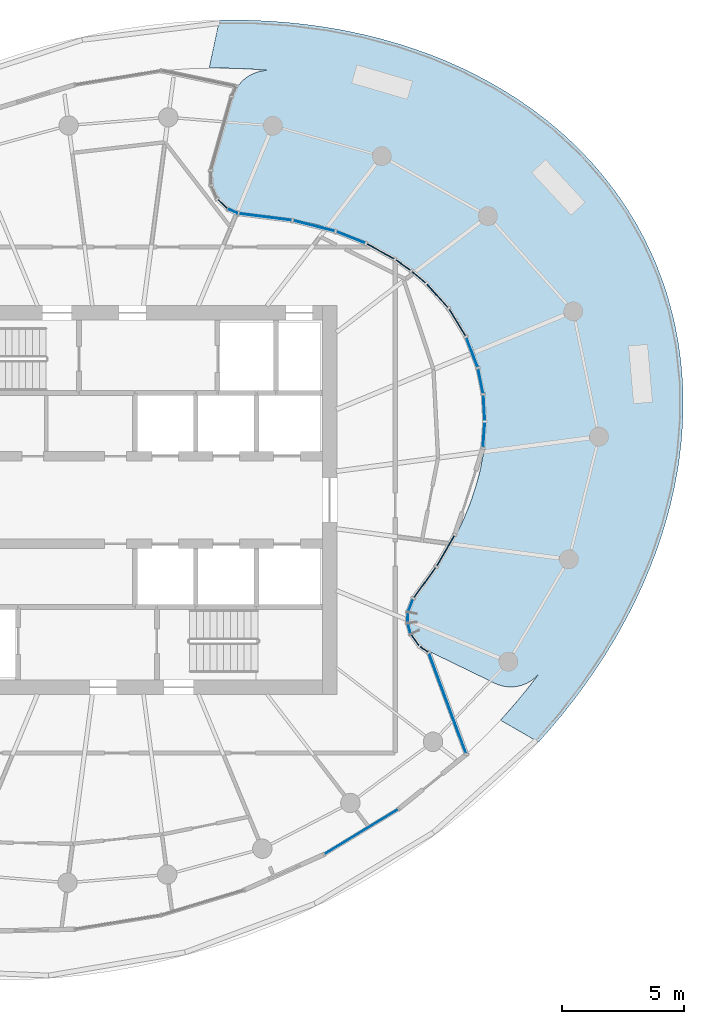
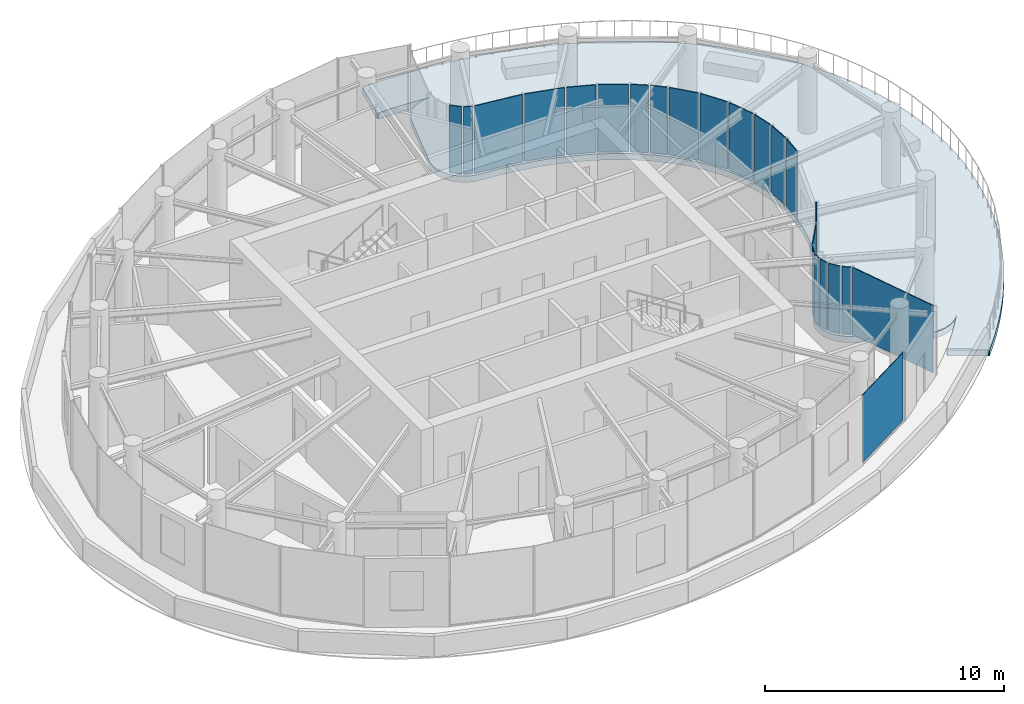
# One storey, part 9 of 19: 23 plates, 1 slab, 6 elements without a shape of their own.
"""IFC4 building model written with IfcOpenShell, lengths in metres."""

import ifcopenshell
import ifcopenshell.guid

model = None  # the IFC model being written
_history = None  # IfcOwnerHistory: only IFC2X3 demands one
_inside = {}  # id of a spatial element -> (the spatial element, [elements in it])
_under = {}  # id of a project, library or spatial element -> (it, [spatial elements below it])
_declared = {}  # id of a project -> (the project, [libraries it declares])
_typed = {}  # id of a type object -> (the type object, [elements of that type])
_made_of = {}  # id of a material, layer set ... -> (it, [elements and type objects made of it])


def new_model(schema):
    """Start an empty IFC model of exactly this schema.

    Asked for "IFC4X3", IfcOpenShell would pick the latest addendum, in which some entities
    have other attributes; the version numbers below select the first issue.
    IFC2X3 requires an IfcOwnerHistory on every rooted entity: one is made here for all.
    """
    global model, _history
    if schema == "IFC4X3":
        model = ifcopenshell.file(schema_version=(4, 3, 0, 0))
    else:
        model = ifcopenshell.file(schema=schema)
    _inside.clear()
    _under.clear()
    _declared.clear()
    _typed.clear()
    _made_of.clear()
    _history = None
    if model.schema == "IFC2X3":
        org = make("IfcOrganization", Name="unknown")
        user = make(
            "IfcPersonAndOrganization",
            ThePerson=make("IfcPerson", FamilyName="unknown"),
            TheOrganization=org,
        )
        app = make(
            "IfcApplication",
            ApplicationDeveloper=org,
            Version="unknown",
            ApplicationFullName="unknown",
            ApplicationIdentifier="unknown",
        )
        _history = make(
            "IfcOwnerHistory",
            OwningUser=user,
            OwningApplication=app,
            ChangeAction="ADDED",
            CreationDate=0,
        )
    return model


def make(cls, **values):
    """One entity of the class cls with the attributes given. An attribute that is None is left unset."""
    return model.create_entity(
        cls, **{name: value for name, value in values.items() if value is not None}
    )


def rooted(cls, **values):
    """An entity with a GlobalId (a new one), such as an element, a storey or a relation."""
    return make(cls, GlobalId=ifcopenshell.guid.new(), OwnerHistory=_history, **values)


def si_unit(unit_type, name, prefix=None):
    """IfcSIUnit, for example si_unit("LENGTHUNIT", "METRE", prefix="MILLI")."""
    return make("IfcSIUnit", UnitType=unit_type, Prefix=prefix, Name=name)


def assignment(units):
    """IfcUnitAssignment: the units of a project."""
    return None if units is None else make("IfcUnitAssignment", Units=units)


def point(xyz):
    """IfcCartesianPoint."""
    return None if xyz is None else make("IfcCartesianPoint", Coordinates=xyz)


def direction(xyz):
    """IfcDirection."""
    return None if xyz is None else make("IfcDirection", DirectionRatios=xyz)


def frame(location, z_axis=None, x_axis=None):
    """IfcAxis2Placement3D, a coordinate frame: its origin and axes. An axis left out is left unset."""
    return make(
        "IfcAxis2Placement3D",
        Location=point(location),
        Axis=direction(z_axis),
        RefDirection=direction(x_axis),
    )


def frame_2d(location, x_axis=None):
    """IfcAxis2Placement2D, a coordinate frame in the plane: its origin and x axis."""
    return make(
        "IfcAxis2Placement2D", Location=point(location), RefDirection=direction(x_axis)
    )


def origin():
    """The frame at (0, 0, 0) with its axes left unset."""
    return frame((0.0, 0.0, 0.0))


def origin_2d():
    """The frame at (0, 0) in the plane with its x axis left unset."""
    return frame_2d((0.0, 0.0))


def place(relative_to, where):
    """IfcLocalPlacement: puts the frame where relative to a parent placement (None: the world)."""
    return make(
        "IfcLocalPlacement", PlacementRelTo=relative_to, RelativePlacement=where
    )


def context(
    kind, dimensions, precision=None, world=None, true_north=None, identifier=None
):
    """IfcGeometricRepresentationContext, for example the 3D "Model" context."""
    return make(
        "IfcGeometricRepresentationContext",
        ContextIdentifier=identifier,
        ContextType=kind,
        CoordinateSpaceDimension=dimensions,
        Precision=precision,
        WorldCoordinateSystem=world,
        TrueNorth=true_north,
    )


def subcontext(parent, identifier, kind, view, scale=None):
    """IfcGeometricRepresentationSubContext, for example "Body" below "Model"."""
    return make(
        "IfcGeometricRepresentationSubContext",
        ContextIdentifier=identifier,
        ContextType=kind,
        ParentContext=parent,
        TargetScale=scale,
        TargetView=view,
    )


def project(units=None, contexts=None):
    """IfcProject with its units and contexts."""
    return rooted(
        "IfcProject",
        Name="project",
        RepresentationContexts=contexts,
        UnitsInContext=assignment(units),
    )


def spatial(cls, under=None, at=None, **own):
    """A site, building, storey or space (cls), placed at a placement, below another one or the project."""
    s = rooted(cls, ObjectPlacement=at, **own)
    if under is not None:
        _under.setdefault(under.id(), (under, []))[1].append(s)
    return s


def point_list(points):
    """IfcCartesianPointList2D or 3D."""
    cls = (
        "IfcCartesianPointList2D" if len(points[0]) == 2 else "IfcCartesianPointList3D"
    )
    return make(cls, CoordList=points)


def line(*indices):
    """IfcLineIndex: a straight run through numbered points of an indexed curve."""
    return model.create_entity("IfcLineIndex", indices)


def indexed_curve(points, segments=None, self_intersect=None):
    """IfcIndexedPolyCurve: lines and arcs through numbered points (the first is 1)."""
    return make(
        "IfcIndexedPolyCurve",
        Points=point_list(points),
        Segments=segments,
        SelfIntersect=self_intersect,
    )


def profile(cls, at=None, kind="AREA", **sizes):
    """A parametric profile (cls). Its sizes go by their IFC names, for example OverallWidth=200.0."""
    return make(cls, ProfileType=kind, Position=at, **sizes)


def rectangle(**sizes):
    """IfcRectangleProfileDef."""
    return profile("IfcRectangleProfileDef", **sizes)


def outline(outer, holes=None, kind="AREA"):
    """IfcArbitraryClosedProfileDef: a profile drawn as a closed curve; with holes, ...WithVoids."""
    if holes is None:
        return make("IfcArbitraryClosedProfileDef", ProfileType=kind, OuterCurve=outer)
    return make(
        "IfcArbitraryProfileDefWithVoids",
        ProfileType=kind,
        OuterCurve=outer,
        InnerCurves=holes,
    )


def extrude(swept, where, along, depth):
    """IfcExtrudedAreaSolid: the profile swept, set in the frame where, extruded along a direction by depth."""
    return make(
        "IfcExtrudedAreaSolid",
        SweptArea=swept,
        Position=where,
        ExtrudedDirection=direction(along),
        Depth=depth,
    )


def shape(context_of_items, identifier, shape_type, items):
    """IfcShapeRepresentation: the items that make up one representation, for example the "Body"."""
    return make(
        "IfcShapeRepresentation",
        ContextOfItems=context_of_items,
        RepresentationIdentifier=identifier,
        RepresentationType=shape_type,
        Items=items,
    )


def source(mapping_origin, context_of_items, identifier, shape_type, items):
    """IfcRepresentationMap: a shape defined once, which mapped items show again and again."""
    return make(
        "IfcRepresentationMap",
        MappingOrigin=mapping_origin,
        MappedRepresentation=shape(context_of_items, identifier, shape_type, items),
    )


def transform(
    local_origin,
    x_axis=None,
    y_axis=None,
    z_axis=None,
    scale=None,
    scale2=None,
    scale3=None,
    uniform=True,
):
    """IfcCartesianTransformationOperator3D, or its non-uniform kind. x_axis, y_axis, z_axis: its Axis1, 2, 3."""
    if uniform:
        return make(
            "IfcCartesianTransformationOperator3D",
            Axis1=direction(x_axis),
            Axis2=direction(y_axis),
            LocalOrigin=point(local_origin),
            Scale=scale,
            Axis3=direction(z_axis),
        )
    return make(
        "IfcCartesianTransformationOperator3DnonUniform",
        Axis1=direction(x_axis),
        Axis2=direction(y_axis),
        LocalOrigin=point(local_origin),
        Scale=scale,
        Axis3=direction(z_axis),
        Scale2=scale2,
        Scale3=scale3,
    )


def mapped(mapping_source, mapping_target):
    """IfcMappedItem: shows the shape of a source again, moved by a transform."""
    return make(
        "IfcMappedItem", MappingSource=mapping_source, MappingTarget=mapping_target
    )


def material(Name=None, Category=None):
    """IfcMaterial."""
    return make("IfcMaterial", Name=Name, Category=Category)


def layer(
    of_material, thickness, ventilated=None, Name=None, Category=None, Priority=None
):
    """IfcMaterialLayer: one layer of a wall or slab, of a material (None: an air gap)."""
    return make(
        "IfcMaterialLayer",
        Material=of_material,
        LayerThickness=thickness,
        IsVentilated=ventilated,
        Name=Name,
        Category=Category,
        Priority=Priority,
    )


def layer_set(layers, Name=None):
    """IfcMaterialLayerSet."""
    return make("IfcMaterialLayerSet", MaterialLayers=layers, LayerSetName=Name)


def made_of(thing, what):
    """Note that an element or type object is made of a material, layer set ...; save() writes the relation."""
    if what is not None:
        _made_of.setdefault(what.id(), (what, []))[1].append(thing)
    return thing


def type_object(cls, material=None, **own):
    """A type object (cls), such as IfcWallType, which elements share."""
    return made_of(rooted(cls, **own), material)


def element(
    cls,
    number,
    at=None,
    inside=None,
    cuts=None,
    type_object=None,
    material=None,
    context=None,
    identifier="Body",
    shape_type=None,
    held_by="IfcProductDefinitionShape",
    body=None,
    shapes=None,
    **own,
):
    """One element of the class cls, such as IfcWall. Its Tag is "e" and its number.

    at: its placement. inside: the storey or other place that contains it. cuts: it is an
    opening in that element (IfcRelVoidsElement). A single representation is given by context,
    identifier, shape_type and body (its items); several are given by shapes. held_by: the class
    of the entity that holds the representations. save() writes the other relations.
    """
    e = rooted(cls, Tag="e%d" % number, ObjectPlacement=at, **own)
    if body is not None:
        shapes = [shape(context, identifier, shape_type, body)]
    if shapes is not None:
        e.Representation = make(held_by, Representations=shapes)
    if inside is not None:
        _inside.setdefault(inside.id(), (inside, []))[1].append(e)
    if cuts is not None:
        rooted(
            "IfcRelVoidsElement", RelatingBuildingElement=cuts, RelatedOpeningElement=e
        )
    if type_object is not None:
        _typed.setdefault(type_object.id(), (type_object, []))[1].append(e)
    return made_of(e, material)


def aggregate(whole, parts):
    """IfcRelAggregates: a whole, such as a stair, and the parts it consists of."""
    return rooted("IfcRelAggregates", RelatingObject=whole, RelatedObjects=parts)


def save(model, path):
    """Write the relations noted so far, then the file.

    IfcRelAggregates (storeys below a building ...), IfcRelContainedInSpatialStructure (elements
    in a storey), IfcRelDefinesByType, IfcRelAssociatesMaterial and IfcRelDeclares: one each for
    every whole, place, type object, material and project.
    """
    for whole, parts in _under.values():
        aggregate(whole, parts)
    for where, things in _inside.values():
        rooted(
            "IfcRelContainedInSpatialStructure",
            RelatedElements=things,
            RelatingStructure=where,
        )
    for kind, things in _typed.values():
        rooted("IfcRelDefinesByType", RelatedObjects=things, RelatingType=kind)
    for what, things in _made_of.values():
        rooted("IfcRelAssociatesMaterial", RelatedObjects=things, RelatingMaterial=what)
    for by, libraries in _declared.values():
        rooted("IfcRelDeclares", RelatingContext=by, RelatedDefinitions=libraries)
    model.write(path)


model = new_model("IFC4")

# Units and contexts
model_context = context("Model", 3, precision=1e-05, world=origin(), true_north=direction((0.0, 1.0)))
body_context = subcontext(model_context, "Body", "Model", "MODEL_VIEW")
ifc_project = project(units=[si_unit("LENGTHUNIT", "METRE"), si_unit("AREAUNIT", "SQUARE_METRE"), si_unit("VOLUMEUNIT", "CUBIC_METRE"), si_unit("PLANEANGLEUNIT", "RADIAN"), si_unit("MASSUNIT", "GRAM", prefix="KILO")], contexts=[model_context])

# Site, building, storey
site_placement = place(None, origin())
site = spatial("IfcSite", under=ifc_project, at=site_placement, CompositionType="ELEMENT")
building_placement = place(site_placement, origin())
building = spatial("IfcBuilding", under=site, at=building_placement, Name="Spindrift Exchange Tower", CompositionType="ELEMENT")
storey_placement = place(building_placement, frame((0.0, 0.0, 234.5)))
storey = spatial("IfcBuildingStorey", under=building, at=storey_placement, Name="L57", CompositionType="ELEMENT", Elevation=234.5)

# Slab
ifc_material_1 = material(Name="Concrete 40 MPa", Category="concrete")
ifc_layer_1 = layer(ifc_material_1, 0.320068359375)
ifc_layer_set_1 = layer_set([ifc_layer_1], Name="RC Garden Terrace Slab 320 Concrete 40 MPa")
slab_type = type_object("IfcSlabType", Name="RC Garden Terrace Slab 320 Concrete 40 MPa", PredefinedType="FLOOR", material=ifc_layer_set_1)
slab_placement = place(storey_placement, frame((0.0, 0.0, -0.320068359375)))
element("IfcSlab", 1, at=slab_placement, inside=storey, type_object=slab_type, Name="Sky garden terrace L57", PredefinedType="FLOOR", context=body_context, shape_type="SweptSolid", body=[
    extrude(outline(indexed_curve([(58.26416015625, 65.653076171875), (57.678466796875, 65.70068359375), (57.001708984375, 65.736572265625), (56.32421875, 65.752685546875), (55.81298828125, 65.75146484375), (55.777099609375, 65.76611328125), (55.764404296875, 65.787353515625), (55.763427734375, 65.81201171875), (56.159423828125, 67.685791015625), (56.1728515625, 67.710693359375), (56.207275390625, 67.725341796875), (56.69287109375, 67.730224609375), (57.4423828125, 67.718994140625), (58.191162109375, 67.686279296875), (58.9375, 67.631103515625), (59.68310546875, 67.552978515625), (60.425048828125, 67.451904296875), (61.163818359375, 67.326904296875), (61.5322265625, 67.25537109375), (62.263916015625, 67.093994140625), (62.98876953125, 66.907958984375), (63.707275390625, 66.6962890625), (64.064453125, 66.580322265625), (64.7705078125, 66.329833984375), (65.4658203125, 66.052978515625), (66.150390625, 65.749267578125), (66.489501953125, 65.586669921875), (67.154296875, 65.2421875), (67.8046875, 64.8701171875), (68.438232421875, 64.470458984375), (69.052734375, 64.0439453125), (69.6494140625, 63.5888671875), (70.22216796875, 63.10791015625), (70.501708984375, 62.85595703125), (71.03955078125, 62.334228515625), (71.55078125, 61.78759765625), (72.034423828125, 61.21533203125), (72.488525390625, 60.61962890625), (72.910888671875, 60.00244140625), (73.301513671875, 59.362548828125), (73.65771484375, 58.7041015625), (73.979248046875, 58.027587890625), (74.127197265625, 57.681396484375), (74.39404296875, 56.9833984375), (74.51416015625, 56.627685546875), (74.625244140625, 56.268798828125), (74.818603515625, 55.544921875), (74.901611328125, 55.1796875), (75.039306640625, 54.443359375), (75.139892578125, 53.70166015625), (75.20458984375, 52.955078125), (75.22314453125, 52.58056640625), (75.23388671875, 51.831298828125), (75.210205078125, 51.083740234375), (75.15234375, 50.3369140625), (75.06201171875, 49.59375), (75.00439453125, 49.221923828125), (74.86669921875, 48.486572265625), (74.69873046875, 47.757080078125), (74.603271484375, 47.393310546875), (74.39208984375, 46.67431640625), (74.15380859375, 45.965087890625), (73.888671875, 45.263427734375), (73.59912109375, 44.573486328125), (73.28515625, 43.893310546875), (72.947998046875, 43.22412109375), (72.589111328125, 42.56689453125), (72.40087890625, 42.24169921875), (72.010498046875, 41.602294921875), (71.6005859375, 40.976318359375), (71.1708984375, 40.361572265625), (70.72412109375, 39.760986328125), (70.259033203125, 39.173095703125), (69.77783203125, 38.59912109375), (69.315185546875, 38.076904296875), (69.295166015625, 38.063232421875), (69.2529296875, 38.06689453125), (67.777099609375, 38.91650390625), (67.759521484375, 38.93359375), (67.752197265625, 38.962158203125), (67.76513671875, 38.99365234375), (68.10693359375, 39.37353515625), (68.547119140625, 39.888916015625), (68.972412109375, 40.4169921875), (69.328125, 40.885498046875), (69.2587890625, 40.8017578125), (69.153564453125, 40.697509765625), (69.040283203125, 40.60546875), (68.9189453125, 40.52490234375), (68.78125, 40.452392578125), (68.6484375, 40.398193359375), (68.5087890625, 40.356689453125), (68.35595703125, 40.327392578125), (68.210693359375, 40.314453125), (68.06494140625, 40.315673828125), (67.91259765625, 40.332275390625), (67.77001953125, 40.3623046875), (67.631103515625, 40.406005859375), (67.49169921875, 40.465087890625), (64.798583984375, 41.774658203125), (64.663330078125, 41.84912109375), (64.542724609375, 41.93212890625), (64.428955078125, 42.0283203125), (64.325439453125, 42.135009765625), (64.23291015625, 42.251708984375), (64.152099609375, 42.376953125), (64.08447265625, 42.509521484375), (64.030029296875, 42.64794921875), (63.9892578125, 42.793701171875), (63.963623046875, 42.93798828125), (63.952392578125, 43.08642578125), (63.955810546875, 43.232666015625), (63.97314453125, 43.378173828125), (64.00732421875, 43.530517578125), (64.0537109375, 43.66943359375), (64.113037109375, 43.80322265625), (64.186767578125, 43.9326171875), (64.272216796875, 44.0537109375), (64.696044921875, 44.609375), (64.9814453125, 45.01416015625), (65.3916015625, 45.649658203125), (65.657470703125, 46.104248046875), (65.896240234375, 46.5498046875), (66.12646484375, 47.022705078125), (66.241455078125, 47.279296875), (66.437744140625, 47.758056640625), (66.531494140625, 48.009765625), (66.70703125, 48.540771484375), (66.84716796875, 49.04736328125), (66.909912109375, 49.313232421875), (67.013916015625, 49.852294921875), (67.0576171875, 50.146240234375), (67.111572265625, 50.67236328125), (67.135009765625, 51.24853515625), (67.122314453125, 51.777099609375), (67.10205078125, 52.052978515625), (67.069091796875, 52.354248046875), (67.028564453125, 52.62890625), (66.92529296875, 53.144775390625), (66.856689453125, 53.412841796875), (66.769775390625, 53.70458984375), (66.680419921875, 53.966796875), (66.581298828125, 54.2255859375), (66.3671875, 54.704833984375), (66.240478515625, 54.951416015625), (66.09130859375, 55.21630859375), (65.94580078125, 55.451904296875), (65.7919921875, 55.681884765625), (65.4599609375, 56.12451171875), (65.096923828125, 56.542236328125), (64.7060546875, 56.934326171875), (64.291015625, 57.298828125), (63.85400390625, 57.63623046875), (63.398681640625, 57.94580078125), (63.1650390625, 58.09033203125), (62.70556640625, 58.349365234375), (62.200439453125, 58.600341796875), (61.953369140625, 58.711181640625), (61.470703125, 58.908203125), (60.95166015625, 59.0927734375), (60.461181640625, 59.24365234375), (60.1943359375, 59.31689453125), (59.689453125, 59.439453125), (58.936767578125, 59.5859375), (58.193359375, 59.69140625), (57.71533203125, 59.739990234375), (57.108154296875, 59.789794921875), (56.960205078125, 59.8212890625), (56.82080078125, 59.8662109375), (56.681884765625, 59.92626953125), (56.552001953125, 59.998779296875), (56.4296875, 60.083984375), (56.316650390625, 60.1806640625), (56.2119140625, 60.2900390625), (56.120361328125, 60.407470703125), (56.040771484375, 60.533203125), (55.97314453125, 60.668701171875), (55.921630859375, 60.802978515625), (55.8828125, 60.944091796875), (55.856689453125, 61.095703125), (55.8466796875, 61.24169921875), (55.850830078125, 61.38818359375), (55.87060546875, 61.540771484375), (55.904296875, 61.686279296875), (56.726318359375, 64.56591796875), (56.774169921875, 64.706787109375), (56.834228515625, 64.839599609375), (56.912353515625, 64.974365234375), (56.99755859375, 65.092529296875), (57.093994140625, 65.201904296875), (57.206298828125, 65.30615234375), (57.322265625, 65.394287109375), (57.4462890625, 65.470703125), (57.583984375, 65.537841796875), (57.720947265625, 65.588134765625), (57.86181640625, 65.625), (58.01318359375, 65.64892578125), (58.15625, 65.6572265625)], segments=[line(1, 2, 3, 4, 5, 6, 7, 8, 9, 10, 11, 12, 13, 14, 15, 16, 17, 18, 19, 20, 21, 22, 23, 24, 25, 26, 27, 28, 29, 30, 31, 32, 33, 34, 35, 36, 37, 38, 39, 40, 41, 42, 43, 44, 45, 46, 47, 48, 49, 50, 51, 52, 53, 54, 55, 56, 57, 58, 59, 60, 61, 62, 63, 64, 65, 66, 67, 68, 69, 70, 71, 72, 73, 74, 75, 76, 77, 78, 79, 80, 81, 82, 83, 84, 85, 86, 87, 88, 89, 90, 91, 92, 93, 94, 95, 96, 97, 98, 99, 100, 101, 102, 103, 104, 105, 106, 107, 108, 109, 110, 111, 112, 113, 114, 115, 116, 117, 118, 119, 120, 121, 122, 123, 124, 125, 126, 127, 128, 129, 130, 131, 132, 133, 134, 135, 136, 137, 138, 139, 140, 141, 142, 143, 144, 145, 146, 147, 148, 149, 150, 151, 152, 153, 154, 155, 156, 157, 158, 159, 160, 161, 162, 163, 164, 165, 166, 167, 168, 169, 170, 171, 172, 173, 174, 175, 176, 177, 178, 179, 180, 181, 182, 183, 184, 185, 186, 187, 188, 189, 190, 191, 192, 193, 194, 195, 196, 197, 198, 1)], self_intersect=False)), origin(), (0.0, 0.0, 1.0), 0.320068359375),
])

# Curtain wall, plate
ifc_material_2 = material(Name="Fritted laminated glass with bronze frame", Category="glass")
ifc_layer_2 = layer(ifc_material_2, 0.159912109375)
ifc_layer_set_2 = layer_set([ifc_layer_2], Name="ZONE 5 BRONZE FRITTED WALL")
curtain_wall_type_1 = type_object("IfcCurtainWallType", Name="ZONE 5 BRONZE FRITTED WALL", PredefinedType="NOTDEFINED", material=ifc_layer_set_2)
curtain_wall_1_placement = place(storey_placement, origin())
curtain_wall_1 = element("IfcCurtainWall", 2, at=curtain_wall_1_placement, inside=storey, type_object=curtain_wall_type_1, Name="L57 Zone 5 Bronze Fritted Wall run 4", PredefinedType="NOTDEFINED")
ifc_material_3 = material(Name="Bronze tinted laminated glass, light frit", Category="glass")
ifc_layer_3 = layer(ifc_material_3, 0.028076171875)
ifc_layer_set_3 = layer_set([ifc_layer_3], Name="ZONE 5 BRONZE FRITTED WALL PANEL LIGHT FRIT 1200")
plate_type_1 = type_object("IfcPlateType", Name="ZONE 5 BRONZE FRITTED WALL PANEL LIGHT FRIT 1200", PredefinedType="CURTAIN_PANEL", material=ifc_layer_set_3)
shared_shape_1 = source(origin(), body_context, "Body", "SweptSolid", [
    extrude(rectangle(XDim=3.5263671875, YDim=0.028076171875, at=origin_2d()), origin(), (0.0, 0.0, 1.0), 3.4599609375),
])
plate_1_placement = place(storey_placement, frame((62.00341796875, 34.36328125, 0.1201171875), z_axis=(0.0, 0.0, 1.0), x_axis=(0.853962458462, 0.520334622659, 0.0)))
plate_1 = element("IfcPlate", 3, at=plate_1_placement, type_object=plate_type_1, Name="L57 panel CW-5.21", PredefinedType="CURTAIN_PANEL", context=body_context, shape_type="MappedRepresentation", body=[
    mapped(shared_shape_1, transform((0.0, 0.0, 0.0), scale=1.0)),
])
aggregate(curtain_wall_1, [plate_1])

# Curtain wall, plates
ifc_layer_4 = layer(ifc_material_2, 0.199951171875)
ifc_layer_set_4 = layer_set([ifc_layer_4], Name="SKY GARDEN BRONZE GLAZED WALL")
curtain_wall_type_2 = type_object("IfcCurtainWallType", Name="SKY GARDEN BRONZE GLAZED WALL", PredefinedType="NOTDEFINED", material=ifc_layer_set_4)
curtain_wall_2_placement = place(storey_placement, origin())
curtain_wall_2 = element("IfcCurtainWall", 4, at=curtain_wall_2_placement, inside=storey, type_object=curtain_wall_type_2, Name="L57 Sky Garden Bronze Glazed Wall run 5", PredefinedType="NOTDEFINED")
ifc_material_4 = material(Name="Bronze tinted laminated glass, clear vision", Category="glass")
ifc_layer_5 = layer(ifc_material_4, 0.0380859375)
ifc_layer_set_5 = layer_set([ifc_layer_5], Name="SKY GARDEN BRONZE GLAZED WALL PANEL CLEAR 1200")
plate_type_2 = type_object("IfcPlateType", Name="SKY GARDEN BRONZE GLAZED WALL PANEL CLEAR 1200", PredefinedType="CURTAIN_PANEL", material=ifc_layer_set_5)
shared_shape_2 = source(origin(), body_context, "Body", "SweptSolid", [
    extrude(rectangle(XDim=4.377685546875, YDim=0.0380859375, at=origin_2d()), origin(), (0.0, 0.0, 1.0), 3.429931640625),
])
plate_2_placement = place(storey_placement, frame((65.551025390625, 39.639892578125, 0.14990234375), z_axis=(0.0, 0.0, 1.0), x_axis=(-0.347308842993, 0.937750802494, 0.0)))
plate_2 = element("IfcPlate", 5, at=plate_2_placement, type_object=plate_type_2, Name="L57 panel CW-G.23", PredefinedType="CURTAIN_PANEL", context=body_context, shape_type="MappedRepresentation", body=[
    mapped(shared_shape_2, transform((0.0, 0.0, 0.0), scale=1.0)),
])
shared_shape_3 = source(origin(), body_context, "Body", "SweptSolid", [
    extrude(rectangle(XDim=0.376953125, YDim=0.0380859375, at=origin_2d()), origin(), (0.0, 0.0, 1.0), 3.429931640625),
])
plate_3_placement = place(storey_placement, frame((64.585693359375, 41.86328125, 0.14990234375), z_axis=(0.0, 0.0, 1.0), x_axis=(-0.824003587216, 0.56658458173, 0.0)))
plate_3 = element("IfcPlate", 6, at=plate_3_placement, type_object=plate_type_2, Name="L57 panel CW-G.24", PredefinedType="CURTAIN_PANEL", context=body_context, shape_type="MappedRepresentation", body=[
    mapped(shared_shape_3, transform((0.0, 0.0, 0.0), scale=1.0)),
])
ifc_layer_6 = layer(ifc_material_4, 0.0380859375)
ifc_layer_set_6 = layer_set([ifc_layer_6], Name="SKY GARDEN BRONZE GLAZED WALL PANEL CLEAR 1560")
plate_type_3 = type_object("IfcPlateType", Name="SKY GARDEN BRONZE GLAZED WALL PANEL CLEAR 1560", PredefinedType="CURTAIN_PANEL", material=ifc_layer_set_6)
shared_shape_4 = source(origin(), body_context, "Body", "SweptSolid", [
    extrude(rectangle(XDim=0.52099609375, YDim=0.0380859375, at=origin_2d()), origin(), (0.0, 0.0, 1.0), 3.429931640625),
])
plate_4_placement = place(storey_placement, frame((64.21875, 42.239990234375, 0.14990234375), z_axis=(0.0, 0.0, 1.0), x_axis=(-0.58304786486, 0.812437805178, 0.0)))
plate_4 = element("IfcPlate", 7, at=plate_4_placement, type_object=plate_type_3, Name="L57 panel CW-G.25", PredefinedType="CURTAIN_PANEL", context=body_context, shape_type="MappedRepresentation", body=[
    mapped(shared_shape_4, transform((0.0, 0.0, 0.0), scale=1.0)),
])
plate_5_placement = place(storey_placement, frame((64.0361328125, 43.6748046875, 0.14990234375), z_axis=(0.0, 0.0, 1.0), x_axis=(0.360924767146, 0.932594934825, 0.0)))
plate_5 = element("IfcPlate", 8, at=plate_5_placement, type_object=plate_type_3, Name="L57 panel CW-G.28", PredefinedType="CURTAIN_PANEL", context=body_context, shape_type="MappedRepresentation", body=[
    mapped(shared_shape_4, transform((0.0, 0.0, 0.0), scale=1.0)),
])
shared_shape_5 = source(origin(), body_context, "Body", "SweptSolid", [
    extrude(rectangle(XDim=0.37939453125, YDim=0.0380859375, at=origin_2d()), origin(), (0.0, 0.0, 1.0), 3.429931640625),
])
plate_6_placement = place(storey_placement, frame((63.97900390625, 42.709716796875, 0.14990234375), z_axis=(0.0, 0.0, 1.0), x_axis=(-0.271818384213, 0.96234856783, 0.0)))
plate_6 = element("IfcPlate", 9, at=plate_6_placement, type_object=plate_type_3, Name="L57 panel CW-G.26", PredefinedType="CURTAIN_PANEL", context=body_context, shape_type="MappedRepresentation", body=[
    mapped(shared_shape_5, transform((0.0, 0.0, 0.0), scale=1.0)),
])
shared_shape_6 = source(origin(), body_context, "Body", "SweptSolid", [
    extrude(rectangle(XDim=0.374267578125, YDim=0.0380859375, at=origin_2d()), origin(), (0.0, 0.0, 1.0), 3.429931640625),
])
plate_7_placement = place(storey_placement, frame((63.92138671875, 43.16259765625, 0.14990234375), z_axis=(0.0, 0.0, 1.0), x_axis=(0.023730759279, 0.999718385879, 0.0)))
plate_7 = element("IfcPlate", 10, at=plate_7_placement, type_object=plate_type_3, Name="L57 panel CW-G.27", PredefinedType="CURTAIN_PANEL", context=body_context, shape_type="MappedRepresentation", body=[
    mapped(shared_shape_6, transform((0.0, 0.0, 0.0), scale=1.0)),
])
aggregate(curtain_wall_2, [plate_2, plate_3, plate_4, plate_6, plate_7, plate_5])

# Curtain wall, plate
curtain_wall_3_placement = place(storey_placement, origin())
curtain_wall_3 = element("IfcCurtainWall", 11, at=curtain_wall_3_placement, inside=storey, type_object=curtain_wall_type_2, Name="L57 Sky Garden Bronze Glazed Wall run 8", PredefinedType="NOTDEFINED")
plate_8_placement = place(storey_placement, frame((56.733642578125, 59.867919921875, 0.14990234375), z_axis=(0.0, 0.0, 1.0), x_axis=(-0.916077410974, 0.401001467706, 0.0)))
plate_8 = element("IfcPlate", 12, at=plate_8_placement, type_object=plate_type_3, Name="L57 panel CW-G.46", PredefinedType="CURTAIN_PANEL", context=body_context, shape_type="MappedRepresentation", body=[
    mapped(shared_shape_6, transform((0.0, 0.0, 0.0), scale=1.0)),
])

# Curtain wall, plates
curtain_wall_4_placement = place(storey_placement, origin())
curtain_wall_4 = element("IfcCurtainWall", 13, at=curtain_wall_4_placement, inside=storey, type_object=curtain_wall_type_2, Name="L57 Sky Garden Bronze Glazed Wall run 6", PredefinedType="NOTDEFINED")
shared_shape_7 = source(origin(), body_context, "Body", "SweptSolid", [
    extrude(rectangle(XDim=1.52197265625, YDim=0.0380859375, at=origin_2d()), origin(), (0.0, 0.0, 1.0), 3.429931640625),
])
plate_9_placement = place(storey_placement, frame((64.616455078125, 44.608154296875, 0.14990234375), z_axis=(0.0, 0.0, 1.0), x_axis=(0.586301665035, 0.810092808003, 0.0)))
plate_9 = element("IfcPlate", 14, at=plate_9_placement, type_object=plate_type_2, Name="L57 panel CW-G.29", PredefinedType="CURTAIN_PANEL", context=body_context, shape_type="MappedRepresentation", body=[
    mapped(shared_shape_7, transform((0.0, 0.0, 0.0), scale=1.0)),
])
shared_shape_8 = source(origin(), body_context, "Body", "SweptSolid", [
    extrude(rectangle(XDim=1.435546875, YDim=0.0380859375, at=origin_2d()), origin(), (0.0, 0.0, 1.0), 3.429931640625),
])
plate_10_placement = place(storey_placement, frame((65.470703125, 45.915771484375, 0.14990234375), z_axis=(0.0, 0.0, 1.0), x_axis=(0.503924737109, 0.863747566902, 0.0)))
plate_10 = element("IfcPlate", 15, at=plate_10_placement, type_object=plate_type_2, Name="L57 panel CW-G.30", PredefinedType="CURTAIN_PANEL", context=body_context, shape_type="MappedRepresentation", body=[
    mapped(shared_shape_8, transform((0.0, 0.0, 0.0), scale=1.0)),
])
ifc_layer_7 = layer(ifc_material_4, 0.0380859375)
ifc_layer_set_7 = layer_set([ifc_layer_7], Name="SKY GARDEN BRONZE GLAZED WALL PANEL CLEAR 1920")
plate_type_4 = type_object("IfcPlateType", Name="SKY GARDEN BRONZE GLAZED WALL PANEL CLEAR 1920", PredefinedType="CURTAIN_PANEL", material=ifc_layer_set_7)
shared_shape_9 = source(origin(), body_context, "Body", "SweptSolid", [
    extrude(rectangle(XDim=1.01220703125, YDim=0.0380859375, at=origin_2d()), origin(), (0.0, 0.0, 1.0), 3.429931640625),
])
plate_11_placement = place(storey_placement, frame((67.046875, 50.67822265625, 0.14990234375), z_axis=(0.0, 0.0, 1.0), x_axis=(0.072722957307, 0.997352180266, 0.0)))
plate_11 = element("IfcPlate", 16, at=plate_11_placement, type_object=plate_type_4, Name="L57 panel CW-G.34", PredefinedType="CURTAIN_PANEL", context=body_context, shape_type="MappedRepresentation", body=[
    mapped(shared_shape_9, transform((0.0, 0.0, 0.0), scale=1.0)),
])
aggregate(curtain_wall_4, [plate_9, plate_10, plate_11])

curtain_wall_5_placement = place(storey_placement, origin())
curtain_wall_5 = element("IfcCurtainWall", 17, at=curtain_wall_5_placement, inside=storey, type_object=curtain_wall_type_2, Name="L57 Sky Garden Bronze Glazed Wall run 7", PredefinedType="NOTDEFINED")
shared_shape_10 = source(origin(), body_context, "Body", "SweptSolid", [
    extrude(rectangle(XDim=1.03955078125, YDim=0.0380859375, at=origin_2d()), origin(), (0.0, 0.0, 1.0), 3.429931640625),
])
plate_12_placement = place(storey_placement, frame((67.05419921875, 51.78662109375, 0.14990234375), z_axis=(0.0, 0.0, 1.0), x_axis=(-0.058154702374, 0.998307583159, 0.0)))
plate_12 = element("IfcPlate", 18, at=plate_12_placement, type_object=plate_type_2, Name="L57 panel CW-G.35", PredefinedType="CURTAIN_PANEL", context=body_context, shape_type="MappedRepresentation", body=[
    mapped(shared_shape_10, transform((0.0, 0.0, 0.0), scale=1.0)),
])
shared_shape_11 = source(origin(), body_context, "Body", "SweptSolid", [
    extrude(rectangle(XDim=1.015380859375, YDim=0.0380859375, at=origin_2d()), origin(), (0.0, 0.0, 1.0), 3.429931640625),
])
plate_13_placement = place(storey_placement, frame((66.912109375, 52.88720703125, 0.14990234375), z_axis=(0.0, 0.0, 1.0), x_axis=(-0.198562319965, 0.980088263928, 0.0)))
plate_13 = element("IfcPlate", 19, at=plate_13_placement, type_object=plate_type_4, Name="L57 panel CW-G.36", PredefinedType="CURTAIN_PANEL", context=body_context, shape_type="MappedRepresentation", body=[
    mapped(shared_shape_11, transform((0.0, 0.0, 0.0), scale=1.0)),
])
shared_shape_12 = source(origin(), body_context, "Body", "SweptSolid", [
    extrude(rectangle(XDim=1.287841796875, YDim=0.0380859375, at=origin_2d()), origin(), (0.0, 0.0, 1.0), 3.429931640625),
])
plate_14_placement = place(storey_placement, frame((66.557373046875, 54.067626953125, 0.14990234375), z_axis=(0.0, 0.0, 1.0), x_axis=(-0.357699801706, 0.933836630177, 0.0)))
plate_14 = element("IfcPlate", 20, at=plate_14_placement, type_object=plate_type_4, Name="L57 panel CW-G.37", PredefinedType="CURTAIN_PANEL", context=body_context, shape_type="MappedRepresentation", body=[
    mapped(shared_shape_12, transform((0.0, 0.0, 0.0), scale=1.0)),
])
shared_shape_13 = source(origin(), body_context, "Body", "SweptSolid", [
    extrude(rectangle(XDim=1.28759765625, YDim=0.0380859375, at=origin_2d()), origin(), (0.0, 0.0, 1.0), 3.429931640625),
])
plate_15_placement = place(storey_placement, frame((65.95166015625, 55.29296875, 0.14990234375), z_axis=(0.0, 0.0, 1.0), x_axis=(-0.524657660708, 0.851313302528, 0.0)))
plate_15 = element("IfcPlate", 21, at=plate_15_placement, type_object=plate_type_2, Name="L57 panel CW-G.38", PredefinedType="CURTAIN_PANEL", context=body_context, shape_type="MappedRepresentation", body=[
    mapped(shared_shape_13, transform((0.0, 0.0, 0.0), scale=1.0)),
])
shared_shape_14 = source(origin(), body_context, "Body", "SweptSolid", [
    extrude(rectangle(XDim=1.28857421875, YDim=0.0380859375, at=origin_2d()), origin(), (0.0, 0.0, 1.0), 3.429931640625),
])
plate_16_placement = place(storey_placement, frame((65.132568359375, 56.38818359375, 0.14990234375), z_axis=(0.0, 0.0, 1.0), x_axis=(-0.668349423654, 0.743847462791, 0.0)))
plate_16 = element("IfcPlate", 22, at=plate_16_placement, type_object=plate_type_3, Name="L57 panel CW-G.39", PredefinedType="CURTAIN_PANEL", context=body_context, shape_type="MappedRepresentation", body=[
    mapped(shared_shape_14, transform((0.0, 0.0, 0.0), scale=1.0)),
])
shared_shape_15 = source(origin(), body_context, "Body", "SweptSolid", [
    extrude(rectangle(XDim=0.716796875, YDim=0.0380859375, at=origin_2d()), origin(), (0.0, 0.0, 1.0), 3.429931640625),
])
plate_17_placement = place(storey_placement, frame((64.368408203125, 57.1591796875, 0.14990234375), z_axis=(0.0, 0.0, 1.0), x_axis=(-0.760944117049, 0.648817424804, 0.0)))
plate_17 = element("IfcPlate", 23, at=plate_17_placement, type_object=plate_type_3, Name="L57 panel CW-G.40", PredefinedType="CURTAIN_PANEL", context=body_context, shape_type="MappedRepresentation", body=[
    mapped(shared_shape_15, transform((0.0, 0.0, 0.0), scale=1.0)),
])
aggregate(curtain_wall_5, [plate_12, plate_13, plate_14, plate_15, plate_16, plate_17])

# Plate
shared_shape_16 = source(origin(), body_context, "Body", "SweptSolid", [
    extrude(rectangle(XDim=0.738525390625, YDim=0.0380859375, at=origin_2d()), origin(), (0.0, 0.0, 1.0), 3.429931640625),
])
plate_18_placement = place(storey_placement, frame((63.72705078125, 57.656494140625, 0.14990234375), z_axis=(0.0, 0.0, 1.0), x_axis=(-0.81701811449, 0.576612001779, 0.0)))
plate_18 = element("IfcPlate", 24, at=plate_18_placement, type_object=plate_type_3, Name="L57 panel CW-G.41", PredefinedType="CURTAIN_PANEL", context=body_context, shape_type="MappedRepresentation", body=[
    mapped(shared_shape_16, transform((0.0, 0.0, 0.0), scale=1.0)),
])

shared_shape_17 = source(origin(), body_context, "Body", "SweptSolid", [
    extrude(rectangle(XDim=1.276611328125, YDim=0.0380859375, at=origin_2d()), origin(), (0.0, 0.0, 1.0), 3.429931640625),
])
plate_19_placement = place(storey_placement, frame((62.793701171875, 58.2216796875, 0.14990234375), z_axis=(0.0, 0.0, 1.0), x_axis=(-0.876739347664, 0.480965816102, 0.0)))
plate_19 = element("IfcPlate", 25, at=plate_19_placement, type_object=plate_type_2, Name="L57 panel CW-G.42", PredefinedType="CURTAIN_PANEL", context=body_context, shape_type="MappedRepresentation", body=[
    mapped(shared_shape_17, transform((0.0, 0.0, 0.0), scale=1.0)),
])

shared_shape_18 = source(origin(), body_context, "Body", "SweptSolid", [
    extrude(rectangle(XDim=1.25439453125, YDim=0.0380859375, at=origin_2d()), origin(), (0.0, 0.0, 1.0), 3.429931640625),
])
plate_20_placement = place(storey_placement, frame((61.57421875, 58.79541015625, 0.14990234375), z_axis=(0.0, 0.0, 1.0), x_axis=(-0.929753354105, 0.368182971538, 0.0)))
plate_20 = element("IfcPlate", 26, at=plate_20_placement, type_object=plate_type_4, Name="L57 panel CW-G.43", PredefinedType="CURTAIN_PANEL", context=body_context, shape_type="MappedRepresentation", body=[
    mapped(shared_shape_18, transform((0.0, 0.0, 0.0), scale=1.0)),
])

shared_shape_19 = source(origin(), body_context, "Body", "SweptSolid", [
    extrude(rectangle(XDim=1.74560546875, YDim=0.0380859375, at=origin_2d()), origin(), (0.0, 0.0, 1.0), 3.429931640625),
])
plate_21_placement = place(storey_placement, frame((60.064697265625, 59.2685546875, 0.14990234375), z_axis=(0.0, 0.0, 1.0), x_axis=(-0.968938518185, 0.247301734683, 0.0)))
plate_21 = element("IfcPlate", 27, at=plate_21_placement, type_object=plate_type_3, Name="L57 panel CW-G.44", PredefinedType="CURTAIN_PANEL", context=body_context, shape_type="MappedRepresentation", body=[
    mapped(shared_shape_19, transform((0.0, 0.0, 0.0), scale=1.0)),
])

shared_shape_20 = source(origin(), body_context, "Body", "SweptSolid", [
    extrude(rectangle(XDim=2.16650390625, YDim=0.0380859375, at=origin_2d()), origin(), (0.0, 0.0, 1.0), 3.429931640625),
])
plate_22_placement = place(storey_placement, frame((58.06103515625, 59.635498046875, 0.14990234375), z_axis=(0.0, 0.0, 1.0), x_axis=(-0.992174960586, 0.124855306602, 0.0)))
plate_22 = element("IfcPlate", 28, at=plate_22_placement, type_object=plate_type_4, Name="L57 panel CW-G.45", PredefinedType="CURTAIN_PANEL", context=body_context, shape_type="MappedRepresentation", body=[
    mapped(shared_shape_20, transform((0.0, 0.0, 0.0), scale=1.0)),
])

aggregate(curtain_wall_3, [plate_18, plate_19, plate_20, plate_21, plate_22, plate_8])

# Curtain wall, plate
curtain_wall_6_placement = place(storey_placement, origin())
curtain_wall_6 = element("IfcCurtainWall", 29, at=curtain_wall_6_placement, inside=storey, type_object=curtain_wall_type_2, Name="L57 Sky Garden Bronze Glazed Wall run 9", PredefinedType="NOTDEFINED")
shared_shape_21 = source(origin(), body_context, "Body", "SweptSolid", [
    extrude(rectangle(XDim=0.52099609375, YDim=0.0380859375, at=origin_2d()), origin(), (0.0, 0.0, 1.0), 3.429931640625),
])
plate_23_placement = place(storey_placement, frame((56.30322265625, 60.16845703125, 0.14990234375), z_axis=(0.0, 0.0, 1.0), x_axis=(-0.726230411175, 0.687451372742, 0.0)))
plate_23 = element("IfcPlate", 30, at=plate_23_placement, type_object=plate_type_4, Name="L57 panel CW-G.47", PredefinedType="CURTAIN_PANEL", context=body_context, shape_type="MappedRepresentation", body=[
    mapped(shared_shape_21, transform((0.0, 0.0, 0.0), scale=1.0)),
])
aggregate(curtain_wall_6, [plate_23])

save(model, "model.ifc")
